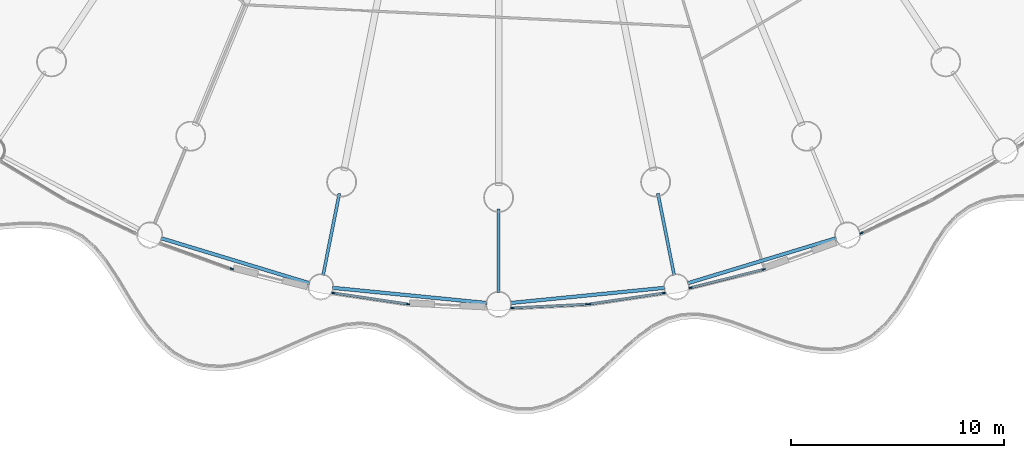
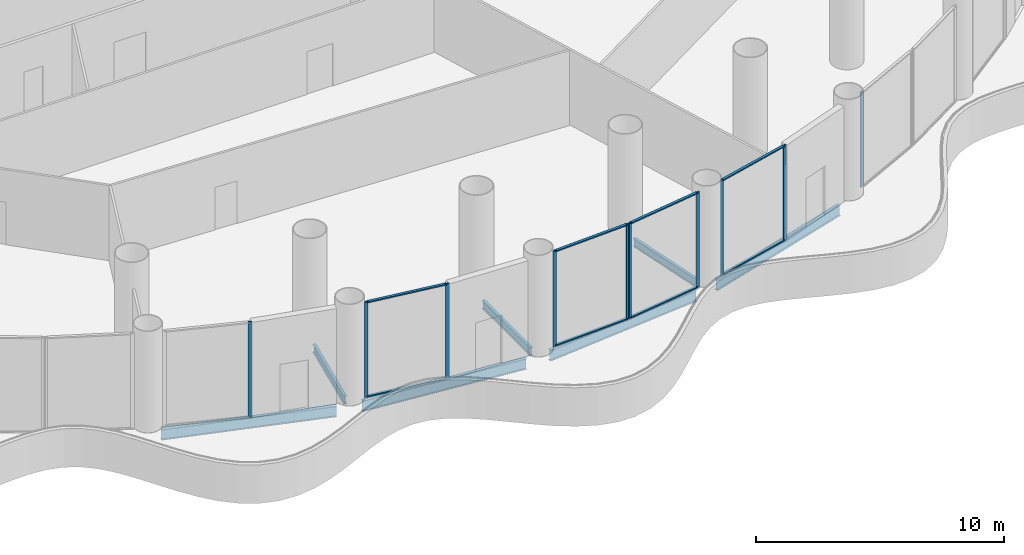
# One storey, part 5 of 35: 18 members, 7 beams, 6 elements without a shape of their own.
"""IFC4 building model written with IfcOpenShell, lengths in metres."""

from ifc_helpers import new_model, si_unit, direction, frame, origin, origin_2d, place, context, subcontext, project, spatial, rectangle, i_section, extrude, material, material_profile, profile_set, type_object, element, aggregate, save


model = new_model("IFC4")

# Units and contexts
model_context = context("Model", 3, precision=1e-05, world=origin(), true_north=direction((0.0, 1.0)))
body_context = subcontext(model_context, "Body", "Model", "MODEL_VIEW")
ifc_project = project(units=[si_unit("LENGTHUNIT", "METRE"), si_unit("AREAUNIT", "SQUARE_METRE"), si_unit("VOLUMEUNIT", "CUBIC_METRE"), si_unit("PLANEANGLEUNIT", "RADIAN"), si_unit("MASSUNIT", "GRAM", prefix="KILO")], contexts=[model_context])

# Site, building, storey
site_placement = place(None, origin())
site = spatial("IfcSite", under=ifc_project, at=site_placement, CompositionType="ELEMENT")
building_placement = place(site_placement, origin())
building = spatial("IfcBuilding", under=site, at=building_placement, Name="Corvane Civic Tower", CompositionType="ELEMENT")
storey_placement = place(building_placement, frame((0.0, 0.0, 27.0)))
storey = spatial("IfcBuildingStorey", under=building, at=storey_placement, Name="L05", CompositionType="ELEMENT", Elevation=27.0)

# Beams
ifc_material_1 = material(Name="Steel ASTM A992 Gr 50", Category="steel")
ifc_material_profile_1 = material_profile(ifc_material_1, i_section(OverallWidth=0.165771484375, OverallDepth=0.5283203125, WebThickness=0.009765625, FlangeThickness=0.013671875, at=origin_2d()), Name="W21X50")
ifc_profile_set_1 = profile_set([ifc_material_profile_1], Name="Steel ASTM A992 Gr 50")
beam_type_1 = type_object("IfcBeamType", Name="EDGE BEAM W21X50", PredefinedType="BEAM", material=ifc_profile_set_1)
for number, where, z_axis, x_axis, name in (
    (1, (15.814208984375, -39.609375, -0.564208984375), (-0.956938225664, -0.290291633127, 0.0), (0.290291633127, -0.956938225664, 0.0), "BM-L05-E15"),
    (2, (7.782958984375, -41.93359375, -0.564208984375), (-0.995187967953, -0.097984225478, 0.0), (0.097984225478, -0.995187967953, 0.0), "BM-L05-E16"),
    (3, (-0.54736328125, -42.64599609375, -0.564208984375), (-0.995187967953, 0.097984225478, 0.0), (-0.097984225478, -0.995187967953, 0.0), "BM-L05-E17"),
    (4, (-8.856689453125, -41.719970703125, -0.564208984375), (-0.956938225664, 0.290291633127, 0.0), (-0.290291633127, -0.956938225664, 0.0), "BM-L05-E18"),
):
    element("IfcBeam", number, at=place(storey_placement, frame(where, z_axis=z_axis, x_axis=x_axis)), inside=storey, type_object=beam_type_1, Name=name, PredefinedType="BEAM", context=body_context, shape_type="SweptSolid", body=[
        extrude(i_section(OverallWidth=0.165771484375, OverallDepth=0.5283203125, WebThickness=0.009765625, FlangeThickness=0.013671875, at=origin_2d()), origin(), (0.0, 0.0, 1.0), 7.2705078125),
    ])
ifc_material_2 = material(Name="Steel ASTM A992 Gr 50", Category="steel")
ifc_material_profile_2 = material_profile(ifc_material_2, i_section(OverallWidth=0.140380859375, OverallDepth=0.40380859375, WebThickness=0.007080078125, FlangeThickness=0.01123046875, at=origin_2d()), Name="W16X31")
ifc_profile_set_2 = profile_set([ifc_material_profile_2], Name="Steel ASTM A992 Gr 50")
beam_type_2 = type_object("IfcBeamType", Name="FLOOR GIRDER W16X31", PredefinedType="BEAM", material=ifc_profile_set_2)
for number, where, z_axis, x_axis, name in (
    (5, (7.462158203125, -37.51513671875, -0.501953125), (0.195128858343, -0.980777614264, 0.0), (0.980777614264, 0.195128858343, 0.0), "BM-L05-G16b"),
    (6, (0.0, -38.25, -0.501953125), (0.0, -1.0, 0.0), (1.0, 0.0, 0.0), "BM-L05-G17b"),
    (7, (-7.462158203125, -37.51513671875, -0.501953125), (-0.195128858343, -0.980777614264, 0.0), (0.980777614264, -0.195128858343, 0.0), "BM-L05-G18b"),
):
    element("IfcBeam", number, at=place(storey_placement, frame(where, z_axis=z_axis, x_axis=x_axis)), inside=storey, type_object=beam_type_2, Name=name, PredefinedType="BEAM", context=body_context, shape_type="SweptSolid", body=[
        extrude(i_section(OverallWidth=0.140380859375, OverallDepth=0.40380859375, WebThickness=0.007080078125, FlangeThickness=0.01123046875, at=origin_2d()), origin(), (0.0, 0.0, 1.0), 3.89990234375),
    ])

# Curtain wall, member
ifc_material_3 = material(Name="Aluminium and glass", Category="aluminium")
curtain_wall_type = type_object("IfcCurtainWallType", Name="PODIUM-CW-P-RUN", PredefinedType="NOTDEFINED", material=ifc_material_3)
curtain_wall_1_placement = place(storey_placement, origin())
curtain_wall_1 = element("IfcCurtainWall", 8, at=curtain_wall_1_placement, inside=storey, type_object=curtain_wall_type, Name="PODI run L05-drum-14B", PredefinedType="NOTDEFINED")
ifc_material_4 = material(Name="Anodised aluminium bronze", Category="aluminium")
ifc_material_profile_3 = material_profile(ifc_material_4, rectangle(XDim=0.06005859375, YDim=0.159912109375, at=origin_2d()), Name="AL 60x160")
ifc_profile_set_3 = profile_set([ifc_material_profile_3], Name="Anodised aluminium bronze")
member_type_1 = type_object("IfcMemberType", Name="PODIUM-CWP-MULLION-60x160", PredefinedType="MULLION", material=ifc_profile_set_3)
member_1_placement = place(storey_placement, frame((17.00439453125, -39.36767578125, 0.0), z_axis=(0.0, 0.0, 1.0), x_axis=(0.42755312852, -0.903990222454, 0.0)))
member_1 = element("IfcMember", 9, at=member_1_placement, type_object=member_type_1, Name="CW-P mullion 2", PredefinedType="MULLION", context=body_context, shape_type="SweptSolid", body=[
    extrude(rectangle(XDim=0.06005859375, YDim=0.159912109375, at=origin_2d()), origin(), (0.0, 0.0, 1.0), 4.699951171875),
])
aggregate(curtain_wall_1, [member_1])

# Curtain wall, members
curtain_wall_2_placement = place(storey_placement, origin())
curtain_wall_2 = element("IfcCurtainWall", 10, at=curtain_wall_2_placement, inside=storey, type_object=curtain_wall_type, Name="PODI run L05-drum-15B", PredefinedType="NOTDEFINED")
member_2_placement = place(storey_placement, frame((12.411865234375, -41.0732421875, 0.0), z_axis=(0.0, 0.0, 1.0), x_axis=(0.243008852393, -0.970024070659, 0.0)))
member_2 = element("IfcMember", 11, at=member_2_placement, type_object=member_type_1, Name="CW-P mullion 1", PredefinedType="MULLION", context=body_context, shape_type="SweptSolid", body=[
    extrude(rectangle(XDim=0.06005859375, YDim=0.159912109375, at=origin_2d()), origin(), (0.0, 0.0, 1.0), 4.699951171875),
])
member_3_placement = place(storey_placement, frame((8.99755859375, -41.9287109375, 0.0), z_axis=(0.0, 0.0, 1.0), x_axis=(0.243008852393, -0.970024070659, 0.0)))
member_3 = element("IfcMember", 12, at=member_3_placement, type_object=member_type_1, Name="CW-P mullion 2", PredefinedType="MULLION", context=body_context, shape_type="SweptSolid", body=[
    extrude(rectangle(XDim=0.06005859375, YDim=0.159912109375, at=origin_2d()), origin(), (0.0, 0.0, 1.0), 4.699951171875),
])

curtain_wall_3_placement = place(storey_placement, origin())
curtain_wall_3 = element("IfcCurtainWall", 13, at=curtain_wall_3_placement, inside=storey, type_object=curtain_wall_type, Name="PODI run L05-drum-16A", PredefinedType="NOTDEFINED")
member_4_placement = place(storey_placement, frame((7.732666015625, -42.18017578125, 0.0), z_axis=(0.0, 0.0, 1.0), x_axis=(0.146714694252, -0.989178850608, 0.0)))
member_4 = element("IfcMember", 14, at=member_4_placement, type_object=member_type_1, Name="CW-P mullion 1", PredefinedType="MULLION", context=body_context, shape_type="SweptSolid", body=[
    extrude(rectangle(XDim=0.06005859375, YDim=0.159912109375, at=origin_2d()), origin(), (0.0, 0.0, 1.0), 4.699951171875),
])
member_5_placement = place(storey_placement, frame((4.2509765625, -42.696533203125, 0.0), z_axis=(0.0, 0.0, 1.0), x_axis=(0.146714694252, -0.989178850608, 0.0)))
member_5 = element("IfcMember", 15, at=member_5_placement, type_object=member_type_1, Name="CW-P mullion 2", PredefinedType="MULLION", context=body_context, shape_type="SweptSolid", body=[
    extrude(rectangle(XDim=0.06005859375, YDim=0.159912109375, at=origin_2d()), origin(), (0.0, 0.0, 1.0), 4.699951171875),
])

curtain_wall_4_placement = place(storey_placement, origin())
curtain_wall_4 = element("IfcCurtainWall", 16, at=curtain_wall_4_placement, inside=storey, type_object=curtain_wall_type, Name="PODI run L05-drum-16B", PredefinedType="NOTDEFINED")
member_6_placement = place(storey_placement, frame((4.16064453125, -42.70556640625, 0.0), z_axis=(0.0, 0.0, 1.0), x_axis=(0.04905015332, -0.998796316803, 0.0)))
member_6 = element("IfcMember", 17, at=member_6_placement, type_object=member_type_1, Name="CW-P mullion 1", PredefinedType="MULLION", context=body_context, shape_type="SweptSolid", body=[
    extrude(rectangle(XDim=0.06005859375, YDim=0.159912109375, at=origin_2d()), origin(), (0.0, 0.0, 1.0), 4.699951171875),
])
member_7_placement = place(storey_placement, frame((0.644775390625, -42.878173828125, 0.0), z_axis=(0.0, 0.0, 1.0), x_axis=(0.04905015332, -0.998796316803, 0.0)))
member_7 = element("IfcMember", 18, at=member_7_placement, type_object=member_type_1, Name="CW-P mullion 2", PredefinedType="MULLION", context=body_context, shape_type="SweptSolid", body=[
    extrude(rectangle(XDim=0.06005859375, YDim=0.159912109375, at=origin_2d()), origin(), (0.0, 0.0, 1.0), 4.699951171875),
])

curtain_wall_5_placement = place(storey_placement, origin())
curtain_wall_5 = element("IfcCurtainWall", 19, at=curtain_wall_5_placement, inside=storey, type_object=curtain_wall_type, Name="PODI run L05-drum-17B", PredefinedType="NOTDEFINED")
member_8_placement = place(storey_placement, frame((-4.2509765625, -42.696533203125, 0.0), z_axis=(0.0, 0.0, 1.0), x_axis=(-0.146714694252, -0.989178850608, 0.0)))
member_8 = element("IfcMember", 20, at=member_8_placement, type_object=member_type_1, Name="CW-P mullion 1", PredefinedType="MULLION", context=body_context, shape_type="SweptSolid", body=[
    extrude(rectangle(XDim=0.06005859375, YDim=0.159912109375, at=origin_2d()), origin(), (0.0, 0.0, 1.0), 4.699951171875),
])
member_9_placement = place(storey_placement, frame((-7.732666015625, -42.18017578125, 0.0), z_axis=(0.0, 0.0, 1.0), x_axis=(-0.146714694252, -0.989178850608, 0.0)))
member_9 = element("IfcMember", 21, at=member_9_placement, type_object=member_type_1, Name="CW-P mullion 2", PredefinedType="MULLION", context=body_context, shape_type="SweptSolid", body=[
    extrude(rectangle(XDim=0.06005859375, YDim=0.159912109375, at=origin_2d()), origin(), (0.0, 0.0, 1.0), 4.699951171875),
])

# Curtain wall, member
curtain_wall_6_placement = place(storey_placement, origin())
curtain_wall_6 = element("IfcCurtainWall", 22, at=curtain_wall_6_placement, inside=storey, type_object=curtain_wall_type, Name="PODI run L05-drum-18B", PredefinedType="NOTDEFINED")
member_10_placement = place(storey_placement, frame((-12.4990234375, -41.046875, 0.0), z_axis=(0.0, 0.0, 1.0), x_axis=(-0.336918534123, -0.941533802561, 0.0)))
member_10 = element("IfcMember", 23, at=member_10_placement, type_object=member_type_1, Name="CW-P mullion 1", PredefinedType="MULLION", context=body_context, shape_type="SweptSolid", body=[
    extrude(rectangle(XDim=0.06005859375, YDim=0.159912109375, at=origin_2d()), origin(), (0.0, 0.0, 1.0), 4.699951171875),
])
aggregate(curtain_wall_6, [member_10])

# Member
ifc_material_5 = material(Name="Anodised aluminium bronze", Category="aluminium")
ifc_material_profile_4 = material_profile(ifc_material_5, rectangle(XDim=0.1201171875, YDim=0.06005859375, at=origin_2d()), Name="AL 120x60")
ifc_profile_set_4 = profile_set([ifc_material_profile_4], Name="Anodised aluminium bronze")
member_type_2 = type_object("IfcMemberType", Name="PODIUM-CWP-TRANSOM-60x120", PredefinedType="USERDEFINED", material=ifc_profile_set_4)
member_11_placement = place(storey_placement, frame((12.3828125, -41.08056640625, 0.030029296875), z_axis=(-0.970022009425, -0.243017080124, 0.0), x_axis=(0.243017080124, -0.970022009425, 0.0)))
member_11 = element("IfcMember", 24, at=member_11_placement, type_object=member_type_2, Name="CW-P transom 1.1", ObjectType="TRANSOM", PredefinedType="USERDEFINED", context=body_context, shape_type="SweptSolid", body=[
    extrude(rectangle(XDim=0.1201171875, YDim=0.06005859375, at=origin_2d()), origin(), (0.0, 0.0, 1.0), 3.4599609375),
])

member_12_placement = place(storey_placement, frame((12.3828125, -41.08056640625, 4.669921875), z_axis=(-0.970022009425, -0.243017080124, 0.0), x_axis=(0.243017080124, -0.970022009425, 0.0)))
member_12 = element("IfcMember", 25, at=member_12_placement, type_object=member_type_2, Name="CW-P transom 1.2", ObjectType="TRANSOM", PredefinedType="USERDEFINED", context=body_context, shape_type="SweptSolid", body=[
    extrude(rectangle(XDim=0.1201171875, YDim=0.06005859375, at=origin_2d()), origin(), (0.0, 0.0, 1.0), 3.4599609375),
])

aggregate(curtain_wall_2, [member_2, member_3, member_11, member_12])

member_13_placement = place(storey_placement, frame((7.703125, -42.1845703125, 0.030029296875), z_axis=(-0.989180338828, -0.146704660039, 0.0), x_axis=(0.146704660039, -0.989180338828, 0.0)))
member_13 = element("IfcMember", 26, at=member_13_placement, type_object=member_type_2, Name="CW-P transom 1.1", ObjectType="TRANSOM", PredefinedType="USERDEFINED", context=body_context, shape_type="SweptSolid", body=[
    extrude(rectangle(XDim=0.1201171875, YDim=0.06005859375, at=origin_2d()), origin(), (0.0, 0.0, 1.0), 3.459716796875),
])

member_14_placement = place(storey_placement, frame((7.703125, -42.1845703125, 4.669921875), z_axis=(-0.989180338828, -0.146704660039, 0.0), x_axis=(0.146704660039, -0.989180338828, 0.0)))
member_14 = element("IfcMember", 27, at=member_14_placement, type_object=member_type_2, Name="CW-P transom 1.2", ObjectType="TRANSOM", PredefinedType="USERDEFINED", context=body_context, shape_type="SweptSolid", body=[
    extrude(rectangle(XDim=0.1201171875, YDim=0.06005859375, at=origin_2d()), origin(), (0.0, 0.0, 1.0), 3.459716796875),
])

aggregate(curtain_wall_3, [member_4, member_5, member_13, member_14])

member_15_placement = place(storey_placement, frame((4.130615234375, -42.70703125, 0.030029296875), z_axis=(-0.998796806423, -0.049040182301, 0.0), x_axis=(0.049040182301, -0.998796806423, 0.0)))
member_15 = element("IfcMember", 28, at=member_15_placement, type_object=member_type_2, Name="CW-P transom 1.1", ObjectType="TRANSOM", PredefinedType="USERDEFINED", context=body_context, shape_type="SweptSolid", body=[
    extrude(rectangle(XDim=0.1201171875, YDim=0.06005859375, at=origin_2d()), origin(), (0.0, 0.0, 1.0), 3.4599609375),
])

member_16_placement = place(storey_placement, frame((4.130615234375, -42.70703125, 4.669921875), z_axis=(-0.998796806423, -0.049040182301, 0.0), x_axis=(0.049040182301, -0.998796806423, 0.0)))
member_16 = element("IfcMember", 29, at=member_16_placement, type_object=member_type_2, Name="CW-P transom 1.2", ObjectType="TRANSOM", PredefinedType="USERDEFINED", context=body_context, shape_type="SweptSolid", body=[
    extrude(rectangle(XDim=0.1201171875, YDim=0.06005859375, at=origin_2d()), origin(), (0.0, 0.0, 1.0), 3.4599609375),
])

aggregate(curtain_wall_4, [member_6, member_7, member_15, member_16])

member_17_placement = place(storey_placement, frame((-4.28076171875, -42.692138671875, 0.030029296875), z_axis=(-0.989180338828, 0.146704660039, 0.0), x_axis=(-0.146704660039, -0.989180338828, 0.0)))
member_17 = element("IfcMember", 30, at=member_17_placement, type_object=member_type_2, Name="CW-P transom 1.1", ObjectType="TRANSOM", PredefinedType="USERDEFINED", context=body_context, shape_type="SweptSolid", body=[
    extrude(rectangle(XDim=0.1201171875, YDim=0.06005859375, at=origin_2d()), origin(), (0.0, 0.0, 1.0), 3.459716796875),
])

member_18_placement = place(storey_placement, frame((-4.28076171875, -42.692138671875, 4.669921875), z_axis=(-0.989180338828, 0.146704660039, 0.0), x_axis=(-0.146704660039, -0.989180338828, 0.0)))
member_18 = element("IfcMember", 31, at=member_18_placement, type_object=member_type_2, Name="CW-P transom 1.2", ObjectType="TRANSOM", PredefinedType="USERDEFINED", context=body_context, shape_type="SweptSolid", body=[
    extrude(rectangle(XDim=0.1201171875, YDim=0.06005859375, at=origin_2d()), origin(), (0.0, 0.0, 1.0), 3.459716796875),
])

aggregate(curtain_wall_5, [member_8, member_9, member_17, member_18])

save(model, "model.ifc")
